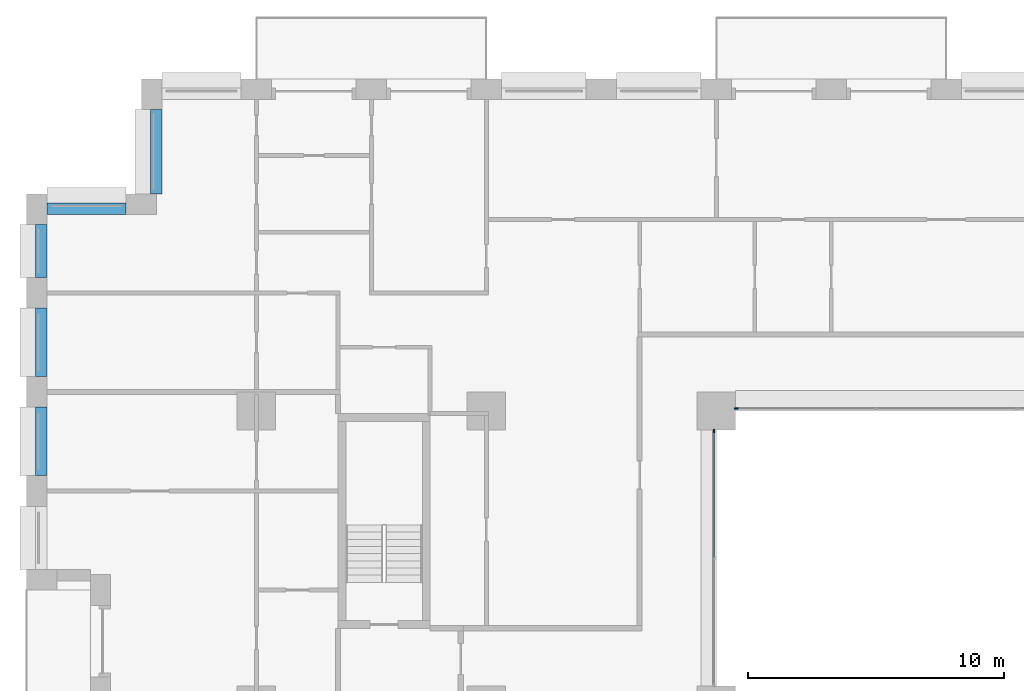
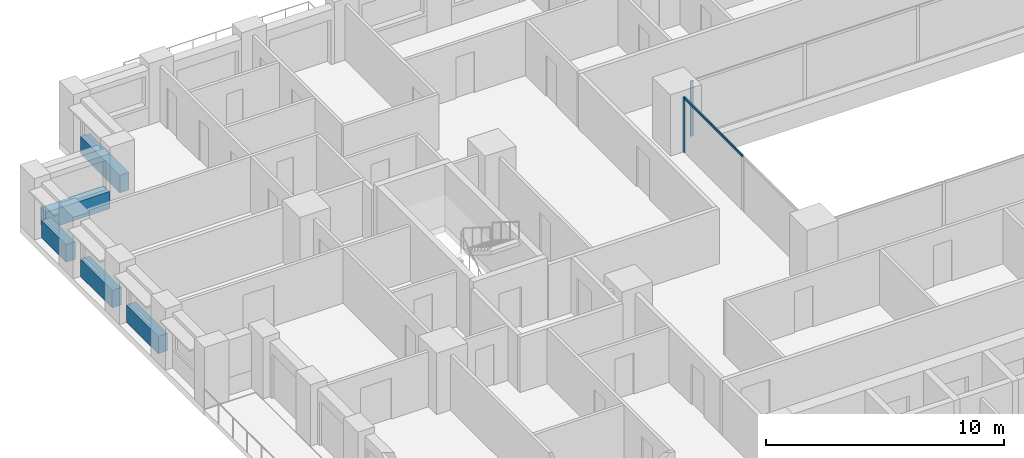
# One storey, part 5 of 19: 5 beams, 3 members, 2 elements without a shape of their own.
"""IFC4 building model written with IfcOpenShell, lengths in metres."""

from ifc_helpers import new_model, si_unit, direction, frame, origin, origin_2d, place, context, subcontext, project, spatial, rectangle, extrude, material, layer, layer_set, material_profile, profile_set, type_object, element, aggregate, save


model = new_model("IFC4")

# Units and contexts
model_context = context("Model", 3, precision=1e-05, world=origin(), true_north=direction((0.0, 1.0)))
body_context = subcontext(model_context, "Body", "Model", "MODEL_VIEW")
ifc_project = project(units=[si_unit("LENGTHUNIT", "METRE"), si_unit("AREAUNIT", "SQUARE_METRE"), si_unit("VOLUMEUNIT", "CUBIC_METRE"), si_unit("PLANEANGLEUNIT", "RADIAN"), si_unit("MASSUNIT", "GRAM", prefix="KILO")], contexts=[model_context])

# Site, building, storey
site_placement = place(None, origin())
site = spatial("IfcSite", under=ifc_project, at=site_placement, CompositionType="ELEMENT")
building_placement = place(site_placement, origin())
building = spatial("IfcBuilding", under=site, at=building_placement, Name="Brigalow Station Residences", CompositionType="ELEMENT")
storey_placement = place(building_placement, frame((0.0, 0.0, 28.949951171875)))
storey = spatial("IfcBuildingStorey", under=building, at=storey_placement, Name="L07", CompositionType="ELEMENT", Elevation=28.949951171875)

# Curtain wall, member
ifc_material_1 = material(Name="Aluminium", Category="aluminium")
ifc_layer = layer(ifc_material_1, 0.14990234375)
ifc_layer_set = layer_set([ifc_layer], Name="ATRIUM FIRE-RATED GLAZING CURTAIN WALL")
curtain_wall_type = type_object("IfcCurtainWallType", Name="ATRIUM FIRE-RATED GLAZING CURTAIN WALL", PredefinedType="NOTDEFINED", material=ifc_layer_set)
curtain_wall_1_placement = place(storey_placement, origin())
curtain_wall_1 = element("IfcCurtainWall", 1, at=curtain_wall_1_placement, inside=storey, type_object=curtain_wall_type, Name="L07/cw/atrium-N", PredefinedType="NOTDEFINED")
ifc_material_2 = material(Name="Aluminium", Category="aluminium")
ifc_material_profile_1 = material_profile(ifc_material_2, rectangle(XDim=0.06005859375, YDim=0.14990234375, at=origin_2d()), Name="ATRIUM FIRE-RATED GLAZING MULLION 60x150")
ifc_profile_set_1 = profile_set([ifc_material_profile_1], Name="Aluminium")
member_type_1 = type_object("IfcMemberType", Name="ATRIUM FIRE-RATED GLAZING MULLION 60x150", PredefinedType="MULLION", material=ifc_profile_set_1)
member_1_placement = place(storey_placement, frame((27.780029296875, 35.60009765625, 0.0), z_axis=(0.0, 0.0, 1.0), x_axis=(0.0, -1.0, 0.0)))
member_1 = element("IfcMember", 2, at=member_1_placement, type_object=member_type_1, Name="L07/cw/atrium-N/M03", PredefinedType="MULLION", context=body_context, shape_type="SweptSolid", body=[
    extrude(rectangle(XDim=0.06005859375, YDim=0.14990234375, at=origin_2d()), origin(), (0.0, 0.0, 1.0), 2.830078125),
])
aggregate(curtain_wall_1, [member_1])

# Curtain wall, members
curtain_wall_2_placement = place(storey_placement, origin())
curtain_wall_2 = element("IfcCurtainWall", 3, at=curtain_wall_2_placement, inside=storey, type_object=curtain_wall_type, Name="L07/cw/atrium-W", PredefinedType="NOTDEFINED")
member_2_placement = place(storey_placement, frame((26.89990234375, 34.719970703125, 0.0), z_axis=(0.0, 0.0, 1.0), x_axis=(1.0, 0.0, 0.0)))
member_2 = element("IfcMember", 4, at=member_2_placement, type_object=member_type_1, Name="L07/cw/atrium-W/M00", PredefinedType="MULLION", context=body_context, shape_type="SweptSolid", body=[
    extrude(rectangle(XDim=0.06005859375, YDim=0.14990234375, at=origin_2d()), origin(), (0.0, 0.0, 1.0), 2.830078125),
])
ifc_material_3 = material(Name="Aluminium", Category="aluminium")
ifc_material_profile_2 = material_profile(ifc_material_3, rectangle(XDim=0.06005859375, YDim=0.1201171875, at=origin_2d()), Name="ATRIUM FIRE-RATED GLAZING TRANSOM 60x120")
ifc_profile_set_2 = profile_set([ifc_material_profile_2], Name="Aluminium")
member_type_2 = type_object("IfcMemberType", Name="ATRIUM FIRE-RATED GLAZING TRANSOM 60x120", PredefinedType="USERDEFINED", material=ifc_profile_set_2)
member_3_placement = place(storey_placement, frame((26.89990234375, 34.68994140625, 2.800048828125), z_axis=(0.0, -1.0, 0.0), x_axis=(1.0, 0.0, 0.0)))
member_3 = element("IfcMember", 5, at=member_3_placement, type_object=member_type_2, Name="L07/cw/atrium-W/T00-00", ObjectType="TRANSOM", PredefinedType="USERDEFINED", context=body_context, shape_type="SweptSolid", body=[
    extrude(rectangle(XDim=0.06005859375, YDim=0.1201171875, at=origin_2d()), origin(), (0.0, 0.0, 1.0), 4.909912109375),
])
aggregate(curtain_wall_2, [member_2, member_3])

# Beams
ifc_material_4 = material(Name="Concrete C65", Category="concrete")
ifc_material_profile_3 = material_profile(ifc_material_4, rectangle(XDim=0.449951171875, YDim=0.89990234375, at=origin_2d()), Name="RC450x900")
ifc_profile_set_3 = profile_set([ifc_material_profile_3], Name="Concrete C65")
beam_type = type_object("IfcBeamType", Name="SPANDREL BEAM 450x900 C65", PredefinedType="SPANDREL", material=ifc_profile_set_3)
beam_1_placement = place(storey_placement, frame((5.074951171875, 47.300048828125, 0.449951171875), z_axis=(0.0, -1.0, 0.0), x_axis=(1.0, 0.0, 0.0)))
element("IfcBeam", 6, at=beam_1_placement, inside=storey, type_object=beam_type, Name="L07/spandrel/W-L07-40", PredefinedType="SPANDREL", context=body_context, shape_type="SweptSolid", body=[
    extrude(rectangle(XDim=0.449951171875, YDim=0.89990234375, at=origin_2d()), origin(), (0.0, 0.0, 1.0), 3.300048828125),
])
beam_2_placement = place(storey_placement, frame((3.89990234375, 43.425048828125, 0.449951171875), z_axis=(-1.0, 0.0, 0.0), x_axis=(0.0, -1.0, 0.0)))
element("IfcBeam", 7, at=beam_2_placement, inside=storey, type_object=beam_type, Name="L07/spandrel/W-L07-41", PredefinedType="SPANDREL", context=body_context, shape_type="SweptSolid", body=[
    extrude(rectangle(XDim=0.449951171875, YDim=0.89990234375, at=origin_2d()), origin(), (0.0, 0.0, 1.0), 3.099853515625),
])
beam_3_placement = place(storey_placement, frame((0.574951171875, 42.800048828125, 0.449951171875), z_axis=(0.0, -1.0, 0.0), x_axis=(1.0, 0.0, 0.0)))
element("IfcBeam", 8, at=beam_3_placement, inside=storey, type_object=beam_type, Name="L07/spandrel/W-L07-42", PredefinedType="SPANDREL", context=body_context, shape_type="SweptSolid", body=[
    extrude(rectangle(XDim=0.449951171875, YDim=0.89990234375, at=origin_2d()), origin(), (0.0, 0.0, 1.0), 2.074951171875),
])
for number, where, z_axis, x_axis, name in (
    (9, (0.574951171875, 39.52490234375, 0.449951171875), (0.0, -1.0, 0.0), (1.0, 0.0, 0.0), "L07/spandrel/W-L07-43"),
    (10, (0.574951171875, 35.64990234375, 0.449951171875), (0.0, -1.0, 0.0), (1.0, 0.0, 0.0), "L07/spandrel/W-L07-44"),
):
    element("IfcBeam", number, at=place(storey_placement, frame(where, z_axis=z_axis, x_axis=x_axis)), inside=storey, type_object=beam_type, Name=name, PredefinedType="SPANDREL", context=body_context, shape_type="SweptSolid", body=[
        extrude(rectangle(XDim=0.449951171875, YDim=0.89990234375, at=origin_2d()), origin(), (0.0, 0.0, 1.0), 2.6748046875),
    ])

save(model, "model.ifc")
